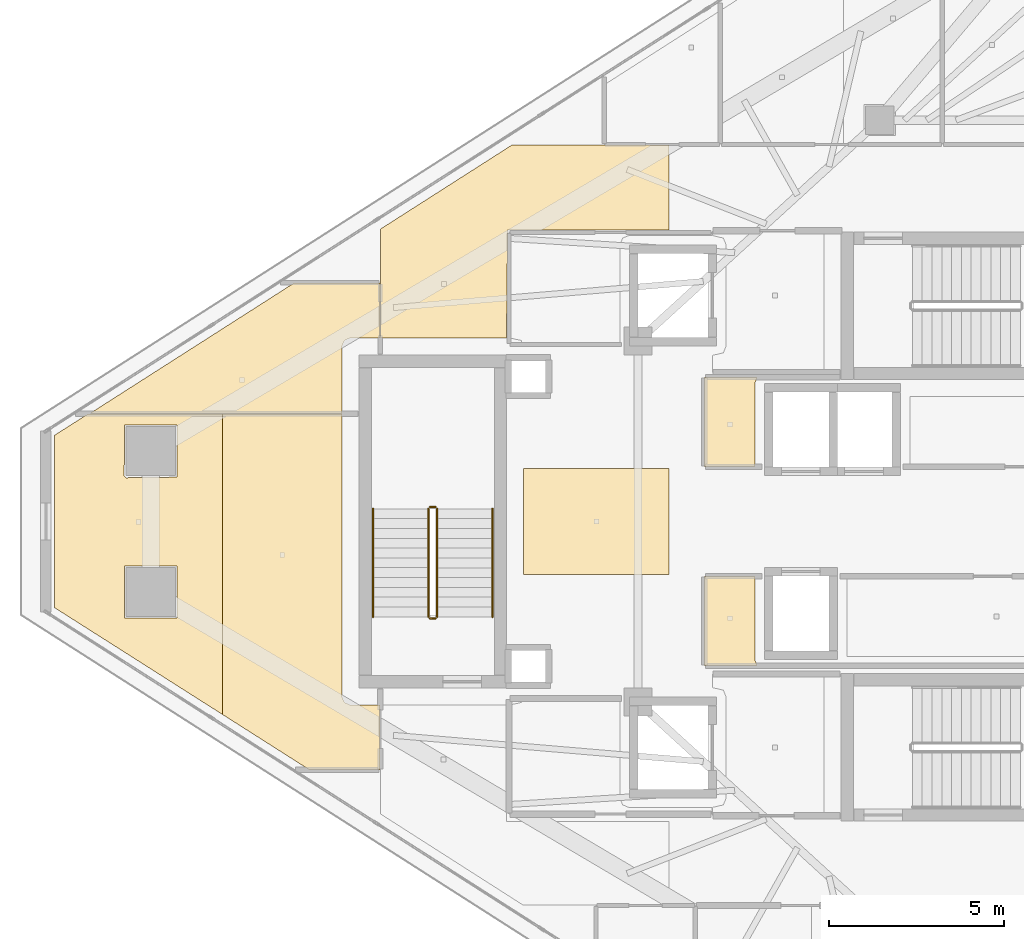
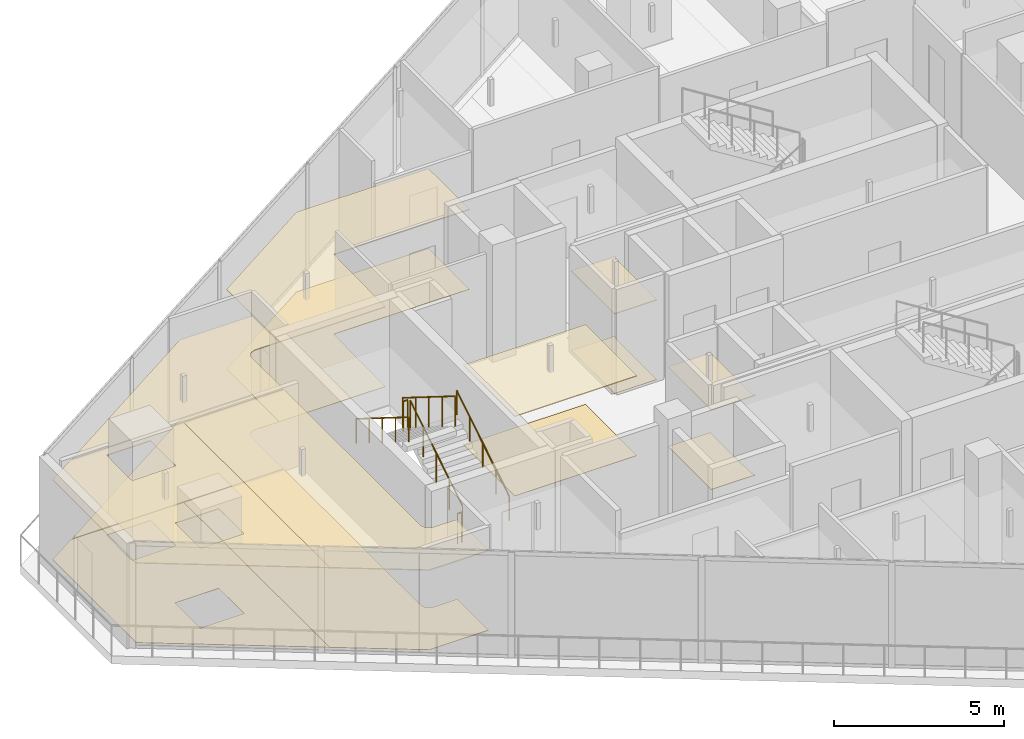
# One storey, part 23 of 26: 14 coverings, 6 railings.
"""IFC4 building model written with IfcOpenShell, lengths in metres."""

from ifc_helpers import new_model, si_unit, direction, frame, origin, origin_2d, place, context, subcontext, project, spatial, polyline, circle, outline, extrude, material, layer, layer_set, type_object, element, save


model = new_model("IFC4")

# Units and contexts
model_context = context("Model", 3, precision=1e-05, world=origin(), true_north=direction((0.0, 1.0)))
body_context = subcontext(model_context, "Body", "Model", "MODEL_VIEW")
ifc_project = project(units=[si_unit("LENGTHUNIT", "METRE"), si_unit("AREAUNIT", "SQUARE_METRE"), si_unit("VOLUMEUNIT", "CUBIC_METRE"), si_unit("PLANEANGLEUNIT", "RADIAN"), si_unit("MASSUNIT", "GRAM", prefix="KILO")], contexts=[model_context])

# Site, building, storey
site_placement = place(None, origin())
site = spatial("IfcSite", under=ifc_project, at=site_placement, CompositionType="ELEMENT")
building_placement = place(site_placement, origin())
building = spatial("IfcBuilding", under=site, at=building_placement, Name="Qorvath Tower", CompositionType="ELEMENT")
storey_placement = place(building_placement, frame((0.0, 0.0, 322.800048828125)))
storey = spatial("IfcBuildingStorey", under=building, at=storey_placement, Name="L75", CompositionType="ELEMENT", Elevation=322.800048828125)

# Coverings
ifc_material_1 = material(Name="Acoustic mineral fibre ceiling tile", Category="gypsum")
ifc_layer_1 = layer(ifc_material_1, 0.030029296875)
ifc_layer_set_1 = layer_set([ifc_layer_1], Name="COV-CEIL")
covering_type_1 = type_object("IfcCoveringType", Name="COV-CEIL", PredefinedType="CEILING", material=ifc_layer_set_1)
covering_1_placement = place(storey_placement, frame((0.0, 0.0, 2.849853515625)))
element("IfcCovering", 1, at=covering_1_placement, inside=storey, type_object=covering_type_1, Name="L75 Suspended Acoustic Ceiling 004", PredefinedType="CEILING", context=body_context, shape_type="SweptSolid", body=[
    extrude(outline(polyline([(-27.159912109375, 1.56494140625), (-27.159912109375, 3.9599609375), (-27.095703125, 4.114990234375), (-28.594970703125, 4.114990234375), (-28.594970703125, 1.56494140625), (-27.159912109375, 1.56494140625)])), origin(), (0.0, 0.0, 1.0), 0.030029296875),
])
covering_2_placement = place(storey_placement, frame((0.0, 0.0, 2.849853515625)))
element("IfcCovering", 2, at=covering_2_placement, inside=storey, type_object=covering_type_1, Name="L75 Suspended Acoustic Ceiling 006", PredefinedType="CEILING", context=body_context, shape_type="SweptSolid", body=[
    extrude(outline(polyline([(-27.095703125, -4.114990234375), (-27.159912109375, -3.9599609375), (-27.159912109375, -1.56494140625), (-28.594970703125, -1.56494140625), (-28.594970703125, -4.114990234375), (-27.095703125, -4.114990234375)])), origin(), (0.0, 0.0, 1.0), 0.030029296875),
])
covering_3_placement = place(storey_placement, frame((0.0, 0.0, 2.849853515625)))
element("IfcCovering", 3, at=covering_3_placement, inside=storey, type_object=covering_type_1, Name="L75 Suspended Acoustic Ceiling 009", PredefinedType="CEILING", context=body_context, shape_type="SweptSolid", body=[
    extrude(outline(polyline([(-29.614990234375, 8.324951171875), (-29.614990234375, 10.7451171875), (-34.092041015625, 10.7451171875), (-37.844970703125, 8.346435546875), (-37.844970703125, 5.239990234375), (-34.2509765625, 5.239990234375), (-34.219970703125, 8.324951171875), (-29.614990234375, 8.324951171875)])), origin(), (0.0, 0.0, 1.0), 0.030029296875),
])
covering_4_placement = place(storey_placement, frame((0.0, 0.0, 2.849853515625)))
element("IfcCovering", 4, at=covering_4_placement, inside=storey, type_object=covering_type_1, Name="L75 Suspended Acoustic Ceiling 011", PredefinedType="CEILING", context=body_context, shape_type="SweptSolid", body=[
    extrude(outline(polyline([(-29.614990234375, -1.514892578125), (-29.614990234375, 1.514892578125), (-33.760009765625, 1.514892578125), (-33.760009765625, -1.514892578125), (-29.614990234375, -1.514892578125)])), origin(), (0.0, 0.0, 1.0), 0.030029296875),
])
covering_5_placement = place(storey_placement, frame((0.0, 0.0, 2.849853515625)))
element("IfcCovering", 5, at=covering_5_placement, inside=storey, type_object=covering_type_1, Name="L75 Suspended Acoustic Ceiling 034", PredefinedType="CEILING", context=body_context, shape_type="SweptSolid", body=[
    extrude(outline(polyline([(-47.149169921875, 2.459228515625), (-47.15234375, -2.456787109375), (-42.349365234375, -5.51123046875), (-42.349365234375, 3.06884765625), (-46.191162109375, 3.06884765625), (-47.149169921875, 2.459228515625)]), holes=[polyline([(-45.14501953125, -2.75), (-45.14501953125, -1.26513671875), (-43.66015625, -1.26513671875), (-43.66015625, -2.75), (-45.14501953125, -2.75)]), polyline([(-45.1025390625, 1.24755859375), (-45.16259765625, 1.3076171875), (-45.14501953125, 2.75), (-43.66015625, 2.75), (-43.66015625, 1.26513671875), (-45.1025390625, 1.24755859375)])]), origin(), (0.0, 0.0, 1.0), 0.030029296875),
])
covering_6_placement = place(storey_placement, frame((0.0, 0.0, 2.849853515625)))
element("IfcCovering", 6, at=covering_6_placement, inside=storey, type_object=covering_type_1, Name="L75 Suspended Acoustic Ceiling 035", PredefinedType="CEILING", context=body_context, shape_type="SweptSolid", body=[
    extrude(outline(polyline([(-42.349365234375, 3.06884765625), (-42.349365234375, -5.51123046875), (-39.879638671875, -7.081787109375), (-37.863037109375, -7.081787109375), (-37.863037109375, -5.239990234375), (-38.699951171875, -5.239990234375), (-38.876708984375, -5.166748046875), (-38.949951171875, -4.989990234375), (-38.949951171875, 3.06884765625), (-42.349365234375, 3.06884765625)])), origin(), (0.0, 0.0, 1.0), 0.030029296875),
])
covering_7_placement = place(storey_placement, frame((0.0, 0.0, 2.849853515625)))
element("IfcCovering", 7, at=covering_7_placement, inside=storey, type_object=covering_type_1, Name="L75 Suspended Acoustic Ceiling 036", PredefinedType="CEILING", context=body_context, shape_type="SweptSolid", body=[
    extrude(outline(polyline([(-38.949951171875, 3.0869140625), (-38.949951171875, 4.989990234375), (-38.876708984375, 5.166748046875), (-38.699951171875, 5.239990234375), (-37.863037109375, 5.239990234375), (-37.863037109375, 6.8037109375), (-40.314697265625, 6.8037109375), (-46.130126953125, 3.0869140625), (-38.949951171875, 3.0869140625)])), origin(), (0.0, 0.0, 1.0), 0.030029296875),
])
ifc_material_2 = material(Name="Low-VOC modular carpet tile", Category="textile")
ifc_layer_2 = layer(ifc_material_2, 0.014892578125)
ifc_layer_set_2 = layer_set([ifc_layer_2], Name="COV-FLOOR-CPT")
covering_type_2 = type_object("IfcCoveringType", Name="COV-FLOOR-CPT", PredefinedType="FLOORING", material=ifc_layer_set_2)
covering_8_placement = place(storey_placement, origin())
element("IfcCovering", 8, at=covering_8_placement, inside=storey, type_object=covering_type_2, Name="L75 Floor Finish 004", PredefinedType="FLOORING", context=body_context, shape_type="SweptSolid", body=[
    extrude(outline(polyline([(-27.159912109375, 1.56494140625), (-27.159912109375, 3.9599609375), (-27.095703125, 4.114990234375), (-28.594970703125, 4.114990234375), (-28.594970703125, 1.56494140625), (-27.159912109375, 1.56494140625)])), origin(), (0.0, 0.0, 1.0), 0.014892578125),
])
covering_9_placement = place(storey_placement, origin())
element("IfcCovering", 9, at=covering_9_placement, inside=storey, type_object=covering_type_2, Name="L75 Floor Finish 006", PredefinedType="FLOORING", context=body_context, shape_type="SweptSolid", body=[
    extrude(outline(polyline([(-27.095703125, -4.114990234375), (-27.159912109375, -3.9599609375), (-27.159912109375, -1.56494140625), (-28.594970703125, -1.56494140625), (-28.594970703125, -4.114990234375), (-27.095703125, -4.114990234375)])), origin(), (0.0, 0.0, 1.0), 0.014892578125),
])
covering_10_placement = place(storey_placement, origin())
element("IfcCovering", 10, at=covering_10_placement, inside=storey, type_object=covering_type_2, Name="L75 Floor Finish 034", PredefinedType="FLOORING", context=body_context, shape_type="SweptSolid", body=[
    extrude(outline(polyline([(-47.149169921875, 2.459228515625), (-47.15234375, -2.456787109375), (-42.349365234375, -5.51123046875), (-42.349365234375, 3.06884765625), (-46.191162109375, 3.06884765625), (-47.149169921875, 2.459228515625)]), holes=[polyline([(-45.14501953125, -2.75), (-45.14501953125, -1.26513671875), (-43.66015625, -1.26513671875), (-43.66015625, -2.75), (-45.14501953125, -2.75)]), polyline([(-45.1025390625, 1.24755859375), (-45.16259765625, 1.3076171875), (-45.14501953125, 2.75), (-43.66015625, 2.75), (-43.66015625, 1.26513671875), (-45.1025390625, 1.24755859375)])]), origin(), (0.0, 0.0, 1.0), 0.014892578125),
])
covering_11_placement = place(storey_placement, origin())
element("IfcCovering", 11, at=covering_11_placement, inside=storey, type_object=covering_type_2, Name="L75 Floor Finish 035", PredefinedType="FLOORING", context=body_context, shape_type="SweptSolid", body=[
    extrude(outline(polyline([(-42.349365234375, 3.06884765625), (-42.349365234375, -5.51123046875), (-39.879638671875, -7.081787109375), (-37.863037109375, -7.081787109375), (-37.863037109375, -5.239990234375), (-38.699951171875, -5.239990234375), (-38.876708984375, -5.166748046875), (-38.949951171875, -4.989990234375), (-38.949951171875, 3.06884765625), (-42.349365234375, 3.06884765625)])), origin(), (0.0, 0.0, 1.0), 0.014892578125),
])
covering_12_placement = place(storey_placement, origin())
element("IfcCovering", 12, at=covering_12_placement, inside=storey, type_object=covering_type_2, Name="L75 Floor Finish 036", PredefinedType="FLOORING", context=body_context, shape_type="SweptSolid", body=[
    extrude(outline(polyline([(-38.949951171875, 3.0869140625), (-38.949951171875, 4.989990234375), (-38.876708984375, 5.166748046875), (-38.699951171875, 5.239990234375), (-37.863037109375, 5.239990234375), (-37.863037109375, 6.8037109375), (-40.314697265625, 6.8037109375), (-46.130126953125, 3.0869140625), (-38.949951171875, 3.0869140625)])), origin(), (0.0, 0.0, 1.0), 0.014892578125),
])
ifc_material_3 = material(Name="Polished epoxy terrazzo flooring", Category="concrete")
ifc_layer_3 = layer(ifc_material_3, 0.02001953125)
ifc_layer_set_3 = layer_set([ifc_layer_3], Name="COV-FLOOR-TRZ")
covering_type_3 = type_object("IfcCoveringType", Name="COV-FLOOR-TRZ", PredefinedType="FLOORING", material=ifc_layer_set_3)
covering_13_placement = place(storey_placement, origin())
element("IfcCovering", 13, at=covering_13_placement, inside=storey, type_object=covering_type_3, Name="L75 Floor Finish 009", PredefinedType="FLOORING", context=body_context, shape_type="SweptSolid", body=[
    extrude(outline(polyline([(-29.614990234375, 8.324951171875), (-29.614990234375, 10.7451171875), (-34.092041015625, 10.7451171875), (-37.844970703125, 8.346435546875), (-37.844970703125, 5.239990234375), (-34.2509765625, 5.239990234375), (-34.219970703125, 8.324951171875), (-29.614990234375, 8.324951171875)])), origin(), (0.0, 0.0, 1.0), 0.014892578125),
])
covering_14_placement = place(storey_placement, origin())
element("IfcCovering", 14, at=covering_14_placement, inside=storey, type_object=covering_type_3, Name="L75 Floor Finish 011", PredefinedType="FLOORING", context=body_context, shape_type="SweptSolid", body=[
    extrude(outline(polyline([(-29.614990234375, -1.514892578125), (-29.614990234375, 1.514892578125), (-33.760009765625, 1.514892578125), (-33.760009765625, -1.514892578125), (-29.614990234375, -1.514892578125)])), origin(), (0.0, 0.0, 1.0), 0.014892578125),
])

# Railings
ifc_material_4 = material(Name="Painted galvanised steel", Category="steel")
railing_type_1 = type_object("IfcRailingType", Name="RL-STR-GRD", PredefinedType="GUARDRAIL", material=ifc_material_4)
railing_1_placement = place(storey_placement, frame((-36.22998046875, -2.719970703125, 0.175048828125)))
element("IfcRailing", 15, at=railing_1_placement, inside=storey, type_object=railing_type_1, Name="L75 TS3 stair guard 1", PredefinedType="GUARDRAIL", context=body_context, shape_type="SweptSolid", body=[
    extrude(circle(Radius=0.02392578125, at=origin_2d()), frame((0.0, 0.0, 1.076171875), z_axis=(0.0, 0.848028513186, 0.529950602248), x_axis=(-1.0, 0.0, 0.0)), (0.0, 0.0, 1.0), 3.632080078125),
    extrude(circle(Radius=0.02099609375, at=origin_2d()), origin(), (0.0, 0.0, 1.0), 1.052001953125),
    extrude(circle(Radius=0.02099609375, at=origin_2d()), frame((0.0, 0.77001953125, 0.481201171875)), (0.0, 0.0, 1.0), 1.052001953125),
    extrude(circle(Radius=0.02099609375, at=origin_2d()), frame((0.0, 1.5400390625, 0.96240234375)), (0.0, 0.0, 1.0), 1.052001953125),
    extrude(circle(Radius=0.02099609375, at=origin_2d()), frame((0.0, 2.31005859375, 1.443603515625)), (0.0, 0.0, 1.0), 1.052001953125),
    extrude(circle(Radius=0.02099609375, at=origin_2d()), frame((0.0, 3.080078125, 1.9248046875)), (0.0, 0.0, 1.0), 1.052001953125),
])
railing_2_placement = place(storey_placement, frame((-36.280029296875, 0.409912109375, 2.099853515625)))
element("IfcRailing", 16, at=railing_2_placement, inside=storey, type_object=railing_type_1, Name="L75 TS3 stair guard 2", PredefinedType="GUARDRAIL", context=body_context, shape_type="SweptSolid", body=[
    extrude(circle(Radius=0.02392578125, at=origin_2d()), frame((0.0, 0.0, 1.076171875), z_axis=(-1.0, 0.0, 0.0), x_axis=(0.0, -1.0, 0.0)), (0.0, 0.0, 1.0), 0.14990234375),
    extrude(circle(Radius=0.02099609375, at=origin_2d()), origin(), (0.0, 0.0, 1.0), 1.052001953125),
    extrude(circle(Radius=0.02099609375, at=origin_2d()), frame((-0.14990234375, 0.0, 0.0)), (0.0, 0.0, 1.0), 1.052001953125),
])
railing_3_placement = place(storey_placement, frame((-36.47998046875, 0.360107421875, 2.27490234375)))
element("IfcRailing", 17, at=railing_3_placement, inside=storey, type_object=railing_type_1, Name="L75 TS3 stair guard 3", PredefinedType="GUARDRAIL", context=body_context, shape_type="SweptSolid", body=[
    extrude(circle(Radius=0.02392578125, at=origin_2d()), frame((0.0, 0.0, 1.076171875), z_axis=(0.0, -0.847998304005, 0.529998940003), x_axis=(1.0, 0.0, 0.0)), (0.0, 0.0, 1.0), 3.632080078125),
    extrude(circle(Radius=0.02099609375, at=origin_2d()), origin(), (0.0, 0.0, 1.0), 1.052001953125),
    extrude(circle(Radius=0.02099609375, at=origin_2d()), frame((0.0, -0.77001953125, 0.481201171875)), (0.0, 0.0, 1.0), 1.052001953125),
    extrude(circle(Radius=0.02099609375, at=origin_2d()), frame((0.0, -1.5400390625, 0.96240234375)), (0.0, 0.0, 1.0), 1.052001953125),
    extrude(circle(Radius=0.02099609375, at=origin_2d()), frame((0.0, -2.31005859375, 1.44384765625)), (0.0, 0.0, 1.0), 1.052001953125),
    extrude(circle(Radius=0.02099609375, at=origin_2d()), frame((0.0, -3.080078125, 1.925048828125)), (0.0, 0.0, 1.0), 1.052001953125),
])
railing_4_placement = place(storey_placement, frame((-36.280029296875, -2.77001953125, 0.0)))
element("IfcRailing", 18, at=railing_4_placement, inside=storey, type_object=railing_type_1, Name="L75 TS3 stair guard 4", PredefinedType="GUARDRAIL", context=body_context, shape_type="SweptSolid", body=[
    extrude(circle(Radius=0.02392578125, at=origin_2d()), frame((0.0, 0.0, 1.076171875), z_axis=(-1.0, 0.0, 0.0), x_axis=(0.0, -1.0, 0.0)), (0.0, 0.0, 1.0), 0.14990234375),
    extrude(circle(Radius=0.02099609375, at=origin_2d()), origin(), (0.0, 0.0, 1.0), 1.052001953125),
    extrude(circle(Radius=0.02099609375, at=origin_2d()), frame((-0.14990234375, 0.0, 0.0)), (0.0, 0.0, 1.0), 1.052001953125),
])
ifc_material_5 = material(Name="Brushed stainless steel AISI 304", Category="steel")
railing_type_2 = type_object("IfcRailingType", Name="RL-STR-HND", PredefinedType="HANDRAIL", material=ifc_material_5)
railing_5_placement = place(storey_placement, frame((-34.64990234375, -2.719970703125, 0.175048828125)))
element("IfcRailing", 19, at=railing_5_placement, inside=storey, type_object=railing_type_2, Name="L75 TS3 stair handrail 1", PredefinedType="HANDRAIL", context=body_context, shape_type="SweptSolid", body=[
    extrude(circle(Radius=0.02392578125, at=origin_2d()), frame((0.0, 0.0, 0.8759765625), z_axis=(0.0, 0.848028513186, 0.529950602248), x_axis=(-1.0, 0.0, 0.0)), (0.0, 0.0, 1.0), 3.632080078125),
    extrude(circle(Radius=0.02099609375, at=origin_2d()), origin(), (0.0, 0.0, 1.0), 0.851806640625),
    extrude(circle(Radius=0.02099609375, at=origin_2d()), frame((0.0, 0.77001953125, 0.481201171875)), (0.0, 0.0, 1.0), 0.851806640625),
    extrude(circle(Radius=0.02099609375, at=origin_2d()), frame((0.0, 1.5400390625, 0.96240234375)), (0.0, 0.0, 1.0), 0.851806640625),
    extrude(circle(Radius=0.02099609375, at=origin_2d()), frame((0.0, 2.31005859375, 1.443603515625)), (0.0, 0.0, 1.0), 0.851806640625),
    extrude(circle(Radius=0.02099609375, at=origin_2d()), frame((0.0, 3.080078125, 1.9248046875)), (0.0, 0.0, 1.0), 0.851806640625),
])
railing_6_placement = place(storey_placement, frame((-38.06005859375, 0.360107421875, 2.27490234375)))
element("IfcRailing", 20, at=railing_6_placement, inside=storey, type_object=railing_type_2, Name="L75 TS3 stair handrail 2", PredefinedType="HANDRAIL", context=body_context, shape_type="SweptSolid", body=[
    extrude(circle(Radius=0.02392578125, at=origin_2d()), frame((0.0, 0.0, 0.8759765625), z_axis=(0.0, -0.847998304005, 0.529998940003), x_axis=(1.0, 0.0, 0.0)), (0.0, 0.0, 1.0), 3.632080078125),
    extrude(circle(Radius=0.02099609375, at=origin_2d()), origin(), (0.0, 0.0, 1.0), 0.851806640625),
    extrude(circle(Radius=0.02099609375, at=origin_2d()), frame((0.0, -0.77001953125, 0.481201171875)), (0.0, 0.0, 1.0), 0.851806640625),
    extrude(circle(Radius=0.02099609375, at=origin_2d()), frame((0.0, -1.5400390625, 0.96240234375)), (0.0, 0.0, 1.0), 0.851806640625),
    extrude(circle(Radius=0.02099609375, at=origin_2d()), frame((0.0, -2.31005859375, 1.44384765625)), (0.0, 0.0, 1.0), 0.851806640625),
    extrude(circle(Radius=0.02099609375, at=origin_2d()), frame((0.0, -3.080078125, 1.925048828125)), (0.0, 0.0, 1.0), 0.851806640625),
])

save(model, "model.ifc")
